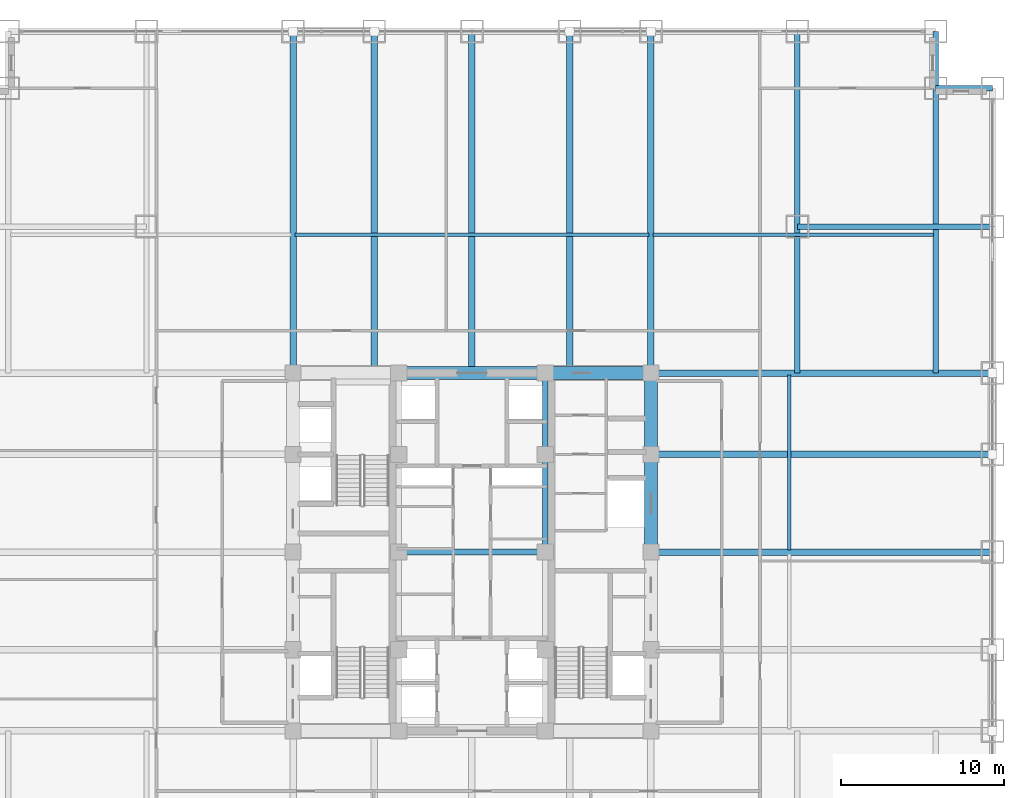
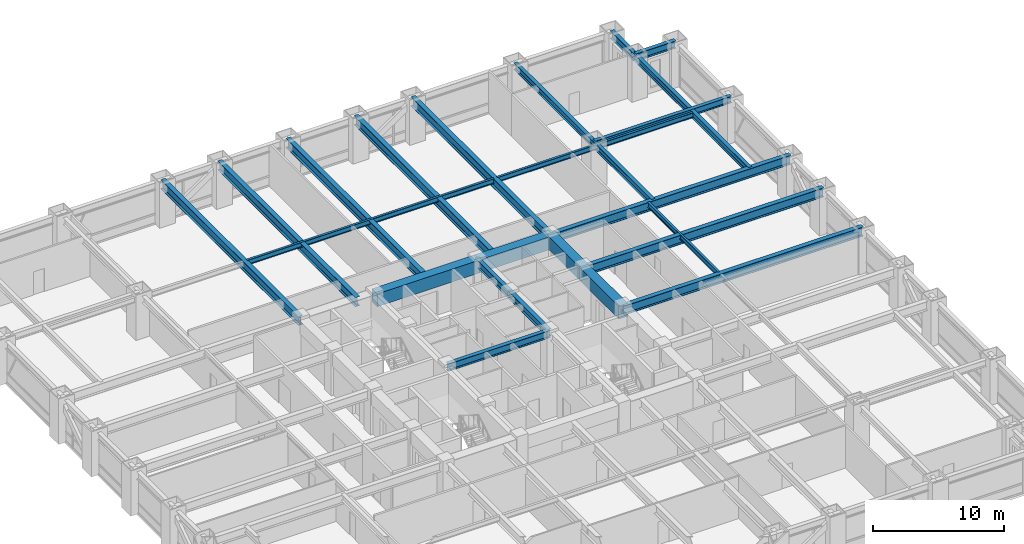
# One storey, part 15 of 28: 23 beams.
"""IFC4 building model written with IfcOpenShell, lengths in metres."""

from ifc_helpers import new_model, si_unit, direction, frame, origin, origin_2d, place, context, subcontext, project, spatial, rectangle, i_section, extrude, source, transform, mapped, material, material_profile, profile_set, type_object, element, save


model = new_model("IFC4")

# Units and contexts
model_context = context("Model", 3, precision=1e-05, world=origin(), true_north=direction((0.0, 1.0)))
body_context = subcontext(model_context, "Body", "Model", "MODEL_VIEW")
ifc_project = project(units=[si_unit("LENGTHUNIT", "METRE"), si_unit("AREAUNIT", "SQUARE_METRE"), si_unit("VOLUMEUNIT", "CUBIC_METRE"), si_unit("PLANEANGLEUNIT", "RADIAN"), si_unit("MASSUNIT", "GRAM", prefix="KILO")], contexts=[model_context])

# Site, building, storey
site_placement = place(None, origin())
site = spatial("IfcSite", under=ifc_project, at=site_placement, CompositionType="ELEMENT")
building_placement = place(site_placement, origin())
building = spatial("IfcBuilding", under=site, at=building_placement, Name="Khorayat Bourse Tower", CompositionType="ELEMENT")
storey_placement = place(building_placement, frame((0.0, 0.0, 66.199951171875)))
storey = spatial("IfcBuildingStorey", under=building, at=storey_placement, Name="L14", CompositionType="ELEMENT", Elevation=66.199951171875)

# Beams
ifc_material_1 = material(Name="Concrete C72/90", Category="concrete")
ifc_material_profile_1 = material_profile(ifc_material_1, rectangle(XDim=0.800048828125, YDim=1.199951171875, at=origin_2d()), Name="RC 800x1200")
ifc_profile_set_1 = profile_set([ifc_material_profile_1], Name="Concrete C72/90")
beam_type_1 = type_object("IfcBeamType", Name="BM-COUP-1200", PredefinedType="BEAM", material=ifc_profile_set_1)
shared_shape_1 = source(origin(), body_context, "Body", "SweptSolid", [
    extrude(rectangle(XDim=0.800048828125, YDim=1.199951171875, at=origin_2d()), origin(), (0.0, 0.0, 1.0), 5.0),
])
beam_1_placement = place(storey_placement, frame((11.0, 6.0, 3.340087890625), z_axis=(0.0, 1.0, 0.0), x_axis=(-1.0, 0.0, 0.0)))
element("IfcBeam", 1, at=beam_1_placement, inside=storey, type_object=beam_type_1, Name="L14 BM-COUP-1200 BM-L14-CRX-16", PredefinedType="BEAM", context=body_context, shape_type="MappedRepresentation", body=[
    mapped(shared_shape_1, transform((0.0, 0.0, 0.0), scale=1.0)),
])
shared_shape_2 = source(origin(), body_context, "Body", "SweptSolid", [
    extrude(rectangle(XDim=0.800048828125, YDim=1.199951171875, at=origin_2d()), origin(), (0.0, 0.0, 1.0), 6.0),
])
beam_2_placement = place(storey_placement, frame((11.0, 0.0, 3.340087890625), z_axis=(0.0, 1.0, 0.0), x_axis=(-1.0, 0.0, 0.0)))
element("IfcBeam", 2, at=beam_2_placement, inside=storey, type_object=beam_type_1, Name="L14 BM-COUP-1200 BM-L14-CRX-15", PredefinedType="BEAM", context=body_context, shape_type="MappedRepresentation", body=[
    mapped(shared_shape_2, transform((0.0, 0.0, 0.0), scale=1.0)),
])
ifc_material_2 = material(Name="Steel ASTM A992 Grade 50", Category="steel")
ifc_material_profile_2 = material_profile(ifc_material_2, i_section(OverallWidth=0.35498046875, OverallDepth=0.695068359375, WebThickness=0.015380859375, FlangeThickness=0.02490234375, FilletRadius=0.01806640625, at=origin_2d()), Name="W690X217")
ifc_profile_set_2 = profile_set([ifc_material_profile_2], Name="Steel ASTM A992 Grade 50")
beam_type_2 = type_object("IfcBeamType", Name="BM-GIRD-690", PredefinedType="BEAM", material=ifc_profile_set_2)
shared_shape_3 = source(origin(), body_context, "Body", "SweptSolid", [
    extrude(i_section(OverallWidth=0.35498046875, OverallDepth=0.695068359375, WebThickness=0.015380859375, FlangeThickness=0.02490234375, FilletRadius=0.01806640625, at=origin_2d()), origin(), (0.0, 0.0, 1.0), 5.0),
])
beam_3_placement = place(storey_placement, frame((4.5, 6.0, 3.592529296875), z_axis=(0.0, 1.0, 0.0), x_axis=(-1.0, 0.0, 0.0)))
element("IfcBeam", 3, at=beam_3_placement, inside=storey, type_object=beam_type_2, Name="L14 BM-GIRD-690 BM-L14-CRX-12", PredefinedType="BEAM", context=body_context, shape_type="MappedRepresentation", body=[
    mapped(shared_shape_3, transform((0.0, 0.0, 0.0), scale=1.0)),
])
shared_shape_4 = source(origin(), body_context, "Body", "SweptSolid", [
    extrude(i_section(OverallWidth=0.35498046875, OverallDepth=0.695068359375, WebThickness=0.015380859375, FlangeThickness=0.02490234375, FilletRadius=0.01806640625, at=origin_2d()), origin(), (0.0, 0.0, 1.0), 6.0),
])
beam_4_placement = place(storey_placement, frame((4.5, 0.0, 3.592529296875), z_axis=(0.0, 1.0, 0.0), x_axis=(-1.0, 0.0, 0.0)))
element("IfcBeam", 4, at=beam_4_placement, inside=storey, type_object=beam_type_2, Name="L14 BM-GIRD-690 BM-L14-CRX-11", PredefinedType="BEAM", context=body_context, shape_type="MappedRepresentation", body=[
    mapped(shared_shape_4, transform((0.0, 0.0, 0.0), scale=1.0)),
])
shared_shape_5 = source(origin(), body_context, "Body", "SweptSolid", [
    extrude(rectangle(XDim=0.800048828125, YDim=1.199951171875, at=origin_2d()), origin(), (0.0, 0.0, 1.0), 6.5),
])
beam_5_placement = place(storey_placement, frame((4.5, 11.0, 3.340087890625), z_axis=(1.0, 0.0, 0.0), x_axis=(0.0, 1.0, 0.0)))
element("IfcBeam", 5, at=beam_5_placement, inside=storey, type_object=beam_type_1, Name="L14 BM-COUP-1200 BM-L14-CRY-22", PredefinedType="BEAM", context=body_context, shape_type="MappedRepresentation", body=[
    mapped(shared_shape_5, transform((0.0, 0.0, 0.0), scale=1.0)),
])
shared_shape_6 = source(origin(), body_context, "Body", "SweptSolid", [
    extrude(rectangle(XDim=0.800048828125, YDim=1.199951171875, at=origin_2d()), origin(), (0.0, 0.0, 1.0), 9.0),
])
beam_6_placement = place(storey_placement, frame((-4.5, 11.0, 3.340087890625), z_axis=(1.0, 0.0, 0.0), x_axis=(0.0, 1.0, 0.0)))
element("IfcBeam", 6, at=beam_6_placement, inside=storey, type_object=beam_type_1, Name="L14 BM-COUP-1200 BM-L14-CRY-21", PredefinedType="BEAM", context=body_context, shape_type="MappedRepresentation", body=[
    mapped(shared_shape_6, transform((0.0, 0.0, 0.0), scale=1.0)),
])
shared_shape_7 = source(origin(), body_context, "Body", "SweptSolid", [
    extrude(i_section(OverallWidth=0.35498046875, OverallDepth=0.695068359375, WebThickness=0.015380859375, FlangeThickness=0.02490234375, FilletRadius=0.01806640625, at=origin_2d()), origin(), (0.0, 0.0, 1.0), 9.0),
])
beam_7_placement = place(storey_placement, frame((-4.5, 0.0, 3.592529296875), z_axis=(1.0, 0.0, 0.0), x_axis=(0.0, 1.0, 0.0)))
element("IfcBeam", 7, at=beam_7_placement, inside=storey, type_object=beam_type_2, Name="L14 BM-GIRD-690 BM-L14-CRY-23", PredefinedType="BEAM", context=body_context, shape_type="MappedRepresentation", body=[
    mapped(shared_shape_7, transform((0.0, 0.0, 0.0), scale=1.0)),
])
ifc_material_profile_3 = material_profile(ifc_material_2, i_section(OverallWidth=0.35498046875, OverallDepth=0.695068359375, WebThickness=0.015380859375, FlangeThickness=0.02490234375, FilletRadius=0.01806640625, at=origin_2d()), Name="W690X217")
ifc_profile_set_3 = profile_set([ifc_material_profile_3], Name="Steel ASTM A992 Grade 50")
beam_type_3 = type_object("IfcBeamType", Name="BM-SPAN-690", PredefinedType="SPANDREL", material=ifc_profile_set_3)
shared_shape_8 = source(origin(), body_context, "Body", "SweptSolid", [
    extrude(i_section(OverallWidth=0.35498046875, OverallDepth=0.695068359375, WebThickness=0.015380859375, FlangeThickness=0.02490234375, FilletRadius=0.01806640625, at=origin_2d()), origin(), (0.0, 0.0, 1.0), 3.5),
])
for number, where, z_axis, x_axis, name in (
    (8, (28.5, 28.5, 3.592529296875), (1.0, 0.0, 0.0), (0.0, 1.0, 0.0), "L14 BM-SPAN-690 BM-L14-SPN-042"),
    (9, (28.5, 28.5, 3.592529296875), (0.0, 1.0, 0.0), (-1.0, 0.0, 0.0), "L14 BM-SPAN-690 BM-L14-SPN-043"),
):
    element("IfcBeam", number, at=place(storey_placement, frame(where, z_axis=z_axis, x_axis=x_axis)), inside=storey, type_object=beam_type_3, Name=name, PredefinedType="SPANDREL", context=body_context, shape_type="MappedRepresentation", body=[
        mapped(shared_shape_8, transform((0.0, 0.0, 0.0), scale=1.0)),
    ])
ifc_material_profile_4 = material_profile(ifc_material_2, i_section(OverallWidth=0.39990234375, OverallDepth=0.85498046875, WebThickness=0.018310546875, FlangeThickness=0.029296875, FilletRadius=0.02001953125, at=origin_2d()), Name="W840X299")
ifc_profile_set_4 = profile_set([ifc_material_profile_4], Name="Steel ASTM A992 Grade 50")
beam_type_4 = type_object("IfcBeamType", Name="BM-GIRD-840", PredefinedType="BEAM", material=ifc_profile_set_4)
shared_shape_9 = source(origin(), body_context, "Body", "SweptSolid", [
    extrude(i_section(OverallWidth=0.39990234375, OverallDepth=0.85498046875, WebThickness=0.018310546875, FlangeThickness=0.029296875, FilletRadius=0.02001953125, at=origin_2d()), origin(), (0.0, 0.0, 1.0), 21.0),
])
for number, where, z_axis, x_axis, name in (
    (10, (-11.0, 11.0, 3.512451171875), (0.0, 1.0, 0.0), (-1.0, 0.0, 0.0), "L14 BM-GIRD-840 BM-L14-RADY-064"),
    (11, (-6.0, 11.0, 3.512451171875), (0.0, 1.0, 0.0), (-1.0, 0.0, 0.0), "L14 BM-GIRD-840 BM-L14-RADY-066"),
    (12, (0.0, 11.0, 3.512451171875), (0.0, 1.0, 0.0), (-1.0, 0.0, 0.0), "L14 BM-GIRD-840 BM-L14-RADY-068"),
    (13, (6.0, 11.0, 3.512451171875), (0.0, 1.0, 0.0), (-1.0, 0.0, 0.0), "L14 BM-GIRD-840 BM-L14-RADY-070"),
    (14, (11.0, 11.0, 3.512451171875), (0.0, 1.0, 0.0), (-1.0, 0.0, 0.0), "L14 BM-GIRD-840 BM-L14-RADY-072"),
    (15, (11.0, 0.0, 3.512451171875), (1.0, 0.0, 0.0), (0.0, 1.0, 0.0), "L14 BM-GIRD-840 BM-L14-RADX-078"),
    (16, (11.0, 6.0, 3.512451171875), (1.0, 0.0, 0.0), (0.0, 1.0, 0.0), "L14 BM-GIRD-840 BM-L14-RADX-080"),
    (17, (11.0, 11.0, 3.512451171875), (1.0, 0.0, 0.0), (0.0, 1.0, 0.0), "L14 BM-GIRD-840 BM-L14-RADX-082"),
):
    element("IfcBeam", number, at=place(storey_placement, frame(where, z_axis=z_axis, x_axis=x_axis)), inside=storey, type_object=beam_type_4, Name=name, PredefinedType="BEAM", context=body_context, shape_type="MappedRepresentation", body=[
        mapped(shared_shape_9, transform((0.0, 0.0, 0.0), scale=1.0)),
    ])
ifc_material_profile_5 = material_profile(ifc_material_2, i_section(OverallWidth=0.324951171875, OverallDepth=0.615966796875, WebThickness=0.013916015625, FlangeThickness=0.021484375, FilletRadius=0.01611328125, at=origin_2d()), Name="W610X174")
ifc_profile_set_5 = profile_set([ifc_material_profile_5], Name="Steel ASTM A992 Grade 50")
beam_type_5 = type_object("IfcBeamType", Name="BM-GIRD-610", PredefinedType="BEAM", material=ifc_profile_set_5)
shared_shape_10 = source(origin(), body_context, "Body", "SweptSolid", [
    extrude(i_section(OverallWidth=0.324951171875, OverallDepth=0.615966796875, WebThickness=0.013916015625, FlangeThickness=0.021484375, FilletRadius=0.01611328125, at=origin_2d()), origin(), (0.0, 0.0, 1.0), 21.0),
])
beam_8_placement = place(storey_placement, frame((20.0, 11.0, 3.632080078125), z_axis=(0.0, 1.0, 0.0), x_axis=(-1.0, 0.0, 0.0)))
element("IfcBeam", 18, at=beam_8_placement, inside=storey, type_object=beam_type_5, Name="L14 BM-GIRD-610 BM-L14-CNRY-087", PredefinedType="BEAM", context=body_context, shape_type="MappedRepresentation", body=[
    mapped(shared_shape_10, transform((0.0, 0.0, 0.0), scale=1.0)),
])
shared_shape_11 = source(origin(), body_context, "Body", "SweptSolid", [
    extrude(i_section(OverallWidth=0.324951171875, OverallDepth=0.615966796875, WebThickness=0.013916015625, FlangeThickness=0.021484375, FilletRadius=0.01611328125, at=origin_2d()), origin(), (0.0, 0.0, 1.0), 17.5),
])
beam_9_placement = place(storey_placement, frame((28.5, 11.0, 3.632080078125), z_axis=(0.0, 1.0, 0.0), x_axis=(-1.0, 0.0, 0.0)))
element("IfcBeam", 19, at=beam_9_placement, inside=storey, type_object=beam_type_5, Name="L14 BM-GIRD-610 BM-L14-CNRY-091", PredefinedType="BEAM", context=body_context, shape_type="MappedRepresentation", body=[
    mapped(shared_shape_11, transform((0.0, 0.0, 0.0), scale=1.0)),
])
shared_shape_12 = source(origin(), body_context, "Body", "SweptSolid", [
    extrude(i_section(OverallWidth=0.324951171875, OverallDepth=0.615966796875, WebThickness=0.013916015625, FlangeThickness=0.021484375, FilletRadius=0.01611328125, at=origin_2d()), origin(), (0.0, 0.0, 1.0), 12.0),
])
beam_10_placement = place(storey_placement, frame((20.0, 20.0, 3.632080078125), z_axis=(1.0, 0.0, 0.0), x_axis=(0.0, 1.0, 0.0)))
element("IfcBeam", 20, at=beam_10_placement, inside=storey, type_object=beam_type_5, Name="L14 BM-GIRD-610 BM-L14-CNRX-094", PredefinedType="BEAM", context=body_context, shape_type="MappedRepresentation", body=[
    mapped(shared_shape_12, transform((0.0, 0.0, 0.0), scale=1.0)),
])
ifc_material_profile_6 = material_profile(ifc_material_2, i_section(OverallWidth=0.194091796875, OverallDepth=0.468994140625, WebThickness=0.0126953125, FlangeThickness=0.0205078125, FilletRadius=0.012939453125, at=origin_2d()), Name="W460X106")
ifc_profile_set_6 = profile_set([ifc_material_profile_6], Name="Steel ASTM A992 Grade 50")
beam_type_6 = type_object("IfcBeamType", Name="BM-JOIST-460", PredefinedType="JOIST", material=ifc_profile_set_6)
shared_shape_13 = source(origin(), body_context, "Body", "SweptSolid", [
    extrude(i_section(OverallWidth=0.194091796875, OverallDepth=0.468994140625, WebThickness=0.0126953125, FlangeThickness=0.0205078125, FilletRadius=0.012939453125, at=origin_2d()), origin(), (0.0, 0.0, 1.0), 17.240234375),
])
beam_11_placement = place(storey_placement, frame((11.1298828125, 19.5, 3.70556640625), z_axis=(1.0, 0.0, 0.0), x_axis=(0.0, 1.0, 0.0)))
element("IfcBeam", 21, at=beam_11_placement, inside=storey, type_object=beam_type_6, Name="L14 BM-JOIST-460 BM-L14-JSTX-101", PredefinedType="JOIST", context=body_context, shape_type="MappedRepresentation", body=[
    mapped(shared_shape_13, transform((0.0, 0.0, 0.0), scale=1.0)),
])
shared_shape_14 = source(origin(), body_context, "Body", "SweptSolid", [
    extrude(i_section(OverallWidth=0.194091796875, OverallDepth=0.468994140625, WebThickness=0.0126953125, FlangeThickness=0.0205078125, FilletRadius=0.012939453125, at=origin_2d()), origin(), (0.0, 0.0, 1.0), 21.740234375),
])
beam_12_placement = place(storey_placement, frame((-10.8701171875, 19.5, 3.70556640625), z_axis=(1.0, 0.0, 0.0), x_axis=(0.0, 1.0, 0.0)))
element("IfcBeam", 22, at=beam_12_placement, inside=storey, type_object=beam_type_6, Name="L14 BM-JOIST-460 BM-L14-JSTX-100", PredefinedType="JOIST", context=body_context, shape_type="MappedRepresentation", body=[
    mapped(shared_shape_14, transform((0.0, 0.0, 0.0), scale=1.0)),
])
shared_shape_15 = source(origin(), body_context, "Body", "SweptSolid", [
    extrude(i_section(OverallWidth=0.194091796875, OverallDepth=0.468994140625, WebThickness=0.0126953125, FlangeThickness=0.0205078125, FilletRadius=0.012939453125, at=origin_2d()), origin(), (0.0, 0.0, 1.0), 10.740234375),
])
beam_13_placement = place(storey_placement, frame((19.5, 0.1298828125, 3.70556640625), z_axis=(0.0, 1.0, 0.0), x_axis=(-1.0, 0.0, 0.0)))
element("IfcBeam", 23, at=beam_13_placement, inside=storey, type_object=beam_type_6, Name="L14 BM-JOIST-460 BM-L14-JSTY-105", PredefinedType="JOIST", context=body_context, shape_type="MappedRepresentation", body=[
    mapped(shared_shape_15, transform((0.0, 0.0, 0.0), scale=1.0)),
])

save(model, "model.ifc")
